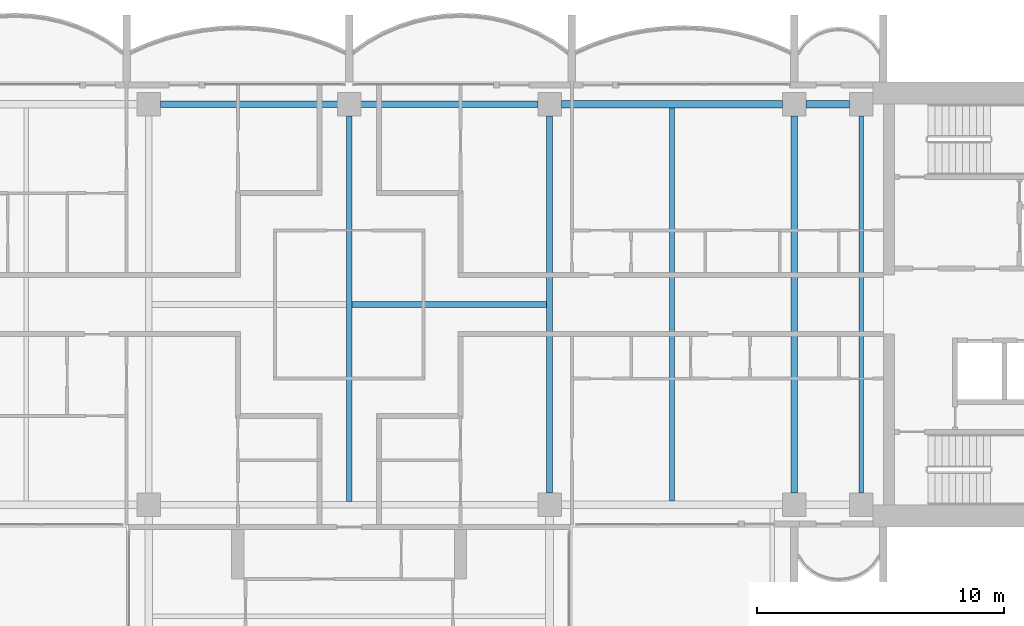
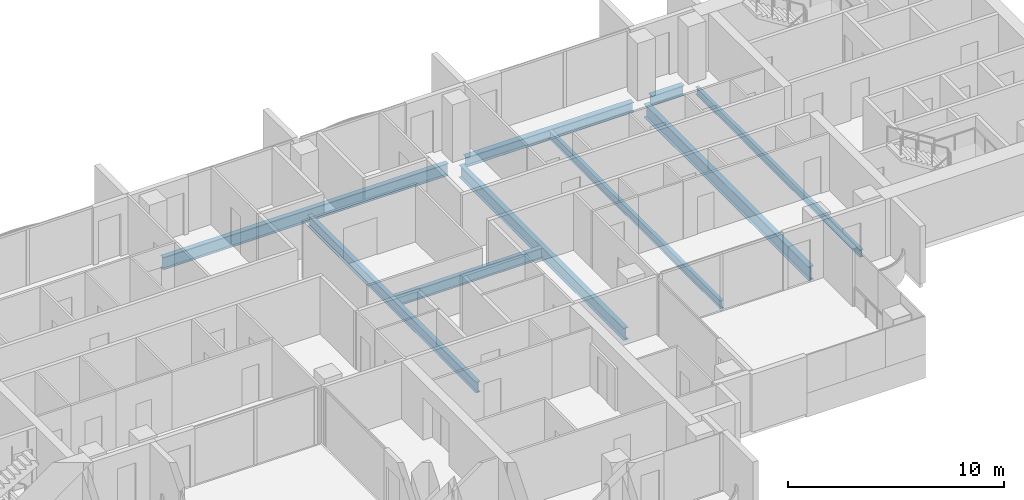
# One storey, part 4 of 17: 9 beams.
"""IFC4 building model written with IfcOpenShell, lengths in metres."""

from ifc_helpers import new_model, si_unit, direction, frame, origin, origin_2d, place, context, subcontext, project, spatial, i_section, extrude, material, material_profile, profile_set, type_object, element, save


model = new_model("IFC4")

# Units and contexts
model_context = context("Model", 3, precision=1e-05, world=origin(), true_north=direction((0.0, 1.0)))
body_context = subcontext(model_context, "Body", "Model", "MODEL_VIEW")
ifc_project = project(units=[si_unit("LENGTHUNIT", "METRE"), si_unit("AREAUNIT", "SQUARE_METRE"), si_unit("VOLUMEUNIT", "CUBIC_METRE"), si_unit("PLANEANGLEUNIT", "RADIAN"), si_unit("MASSUNIT", "GRAM", prefix="KILO")], contexts=[model_context])

# Site, building, storey
site_placement = place(None, origin())
site = spatial("IfcSite", under=ifc_project, at=site_placement, CompositionType="ELEMENT")
building_placement = place(site_placement, origin())
building = spatial("IfcBuilding", under=site, at=building_placement, Name="Perihelion Cross Residences", CompositionType="ELEMENT")
storey_placement = place(building_placement, frame((0.0, 0.0, 191.10009765625)))
storey = spatial("IfcBuildingStorey", under=building, at=storey_placement, Name="L47", CompositionType="ELEMENT", Elevation=191.10009765625)

# Beams
ifc_material_1 = material(Name="Steel S355", Category="steel")
ifc_material_profile_1 = material_profile(ifc_material_1, i_section(OverallWidth=0.180908203125, OverallDepth=0.4169921875, WebThickness=0.010986328125, FlangeThickness=0.018310546875, at=origin_2d()), Name="W410x85")
ifc_profile_set_1 = profile_set([ifc_material_profile_1], Name="Steel S355")
beam_type_1 = type_object("IfcBeamType", Name="Core edge beam W410x85", PredefinedType="BEAM", material=ifc_profile_set_1)
beam_1_placement = place(storey_placement, frame((20.699951171875, -7.625, -0.45849609375), z_axis=(0.0, 1.0, 0.0), x_axis=(-1.0, 0.0, 0.0)))
element("IfcBeam", 1, at=beam_1_placement, inside=storey, type_object=beam_type_1, Name="Core edge beam TB6 L47 no. 2", PredefinedType="BEAM", context=body_context, shape_type="SweptSolid", body=[
    extrude(i_section(OverallWidth=0.180908203125, OverallDepth=0.4169921875, WebThickness=0.010986328125, FlangeThickness=0.018310546875, at=origin_2d()), origin(), (0.0, 0.0, 1.0), 15.25),
])
ifc_material_2 = material(Name="Steel S355", Category="steel")
ifc_material_profile_2 = material_profile(ifc_material_2, i_section(OverallWidth=0.31201171875, OverallDepth=0.5439453125, WebThickness=0.0126953125, FlangeThickness=0.020263671875, at=origin_2d()), Name="W530x150")
ifc_profile_set_2 = profile_set([ifc_material_profile_2], Name="Steel S355")
beam_type_2 = type_object("IfcBeamType", Name="Edge beam W530x150", PredefinedType="SPANDREL", material=ifc_profile_set_2)
beam_2_placement = place(storey_placement, frame((20.22509765625, 8.10009765625, -0.522216796875), z_axis=(-1.0, 0.0, 0.0), x_axis=(0.0, -1.0, 0.0)))
element("IfcBeam", 2, at=beam_2_placement, inside=storey, type_object=beam_type_2, Name="Edge beam SB4 L47 no. 10", PredefinedType="SPANDREL", context=body_context, shape_type="SweptSolid", body=[
    extrude(i_section(OverallWidth=0.31201171875, OverallDepth=0.5439453125, WebThickness=0.0126953125, FlangeThickness=0.020263671875, at=origin_2d()), origin(), (0.0, 0.0, 1.0), 1.75),
])
beam_3_placement = place(storey_placement, frame((17.52490234375, 8.10009765625, -0.522216796875), z_axis=(-1.0, 0.0, 0.0), x_axis=(0.0, -1.0, 0.0)))
element("IfcBeam", 3, at=beam_3_placement, inside=storey, type_object=beam_type_2, Name="Edge beam SB4 L47 no. 9", PredefinedType="SPANDREL", context=body_context, shape_type="SweptSolid", body=[
    extrude(i_section(OverallWidth=0.31201171875, OverallDepth=0.5439453125, WebThickness=0.0126953125, FlangeThickness=0.020263671875, at=origin_2d()), origin(), (0.0, 0.0, 1.0), 8.949951171875),
])
ifc_material_3 = material(Name="Steel S355", Category="steel")
ifc_material_profile_3 = material_profile(ifc_material_3, i_section(OverallWidth=0.26708984375, OverallDepth=0.77001953125, WebThickness=0.015625, FlangeThickness=0.025390625, at=origin_2d()), Name="W760x196")
ifc_profile_set_3 = profile_set([ifc_material_profile_3], Name="Steel S355")
beam_type_3 = type_object("IfcBeamType", Name="Floor girder W760x196", PredefinedType="BEAM", material=ifc_profile_set_3)
beam_4_placement = place(storey_placement, frame((18.0, -7.625, -0.635009765625), z_axis=(0.0, 1.0, 0.0), x_axis=(-1.0, 0.0, 0.0)))
element("IfcBeam", 4, at=beam_4_placement, inside=storey, type_object=beam_type_3, Name="Girder G4 L47 no. 2", PredefinedType="BEAM", context=body_context, shape_type="SweptSolid", body=[
    extrude(i_section(OverallWidth=0.26708984375, OverallDepth=0.77001953125, WebThickness=0.015625, FlangeThickness=0.025390625, at=origin_2d()), origin(), (0.0, 0.0, 1.0), 15.25),
])
ifc_material_4 = material(Name="Steel S355", Category="steel")
ifc_material_profile_4 = material_profile(ifc_material_4, i_section(OverallWidth=0.19091796875, OverallDepth=0.45703125, WebThickness=0.009033203125, FlangeThickness=0.014404296875, at=origin_2d()), Name="W460x74")
ifc_profile_set_4 = profile_set([ifc_material_profile_4], Name="Steel S355")
beam_type_4 = type_object("IfcBeamType", Name="Floor joist W460x74", PredefinedType="JOIST", material=ifc_profile_set_4)
beam_5_placement = place(storey_placement, frame((13.050048828125, -7.944091796875, -0.478515625), z_axis=(0.0, 1.0, 0.0), x_axis=(-1.0, 0.0, 0.0)))
element("IfcBeam", 5, at=beam_5_placement, inside=storey, type_object=beam_type_4, Name="Joist J5 L47 no. 2", PredefinedType="JOIST", context=body_context, shape_type="SweptSolid", body=[
    extrude(i_section(OverallWidth=0.19091796875, OverallDepth=0.45703125, WebThickness=0.009033203125, FlangeThickness=0.014404296875, at=origin_2d()), origin(), (0.0, 0.0, 1.0), 15.88818359375),
])
ifc_material_5 = material(Name="Steel S355", Category="steel")
ifc_material_profile_5 = material_profile(ifc_material_5, i_section(OverallWidth=0.22900390625, OverallDepth=0.612060546875, WebThickness=0.011962890625, FlangeThickness=0.01953125, at=origin_2d()), Name="W610x125")
ifc_profile_set_5 = profile_set([ifc_material_profile_5], Name="Steel S355")
beam_type_5 = type_object("IfcBeamType", Name="Hub cross beam W610x125", PredefinedType="BEAM", material=ifc_profile_set_5)
beam_6_placement = place(storey_placement, frame((0.0, -7.971435546875, -0.55615234375), z_axis=(0.0, 1.0, 0.0), x_axis=(-1.0, 0.0, 0.0)))
element("IfcBeam", 6, at=beam_6_placement, inside=storey, type_object=beam_type_5, Name="Hub cross beam XB4 L47 no. 1", PredefinedType="BEAM", context=body_context, shape_type="SweptSolid", body=[
    extrude(i_section(OverallWidth=0.22900390625, OverallDepth=0.612060546875, WebThickness=0.011962890625, FlangeThickness=0.01953125, at=origin_2d()), origin(), (0.0, 0.0, 1.0), 15.596435546875),
])
beam_7_placement = place(storey_placement, frame((0.114501953125, 0.0, -0.55615234375), z_axis=(1.0, 0.0, 0.0), x_axis=(0.0, 1.0, 0.0)))
element("IfcBeam", 7, at=beam_7_placement, inside=storey, type_object=beam_type_5, Name="Hub cross beam XB4 L47 2 no. 1", PredefinedType="BEAM", context=body_context, shape_type="SweptSolid", body=[
    extrude(i_section(OverallWidth=0.22900390625, OverallDepth=0.612060546875, WebThickness=0.011962890625, FlangeThickness=0.01953125, at=origin_2d()), origin(), (0.0, 0.0, 1.0), 7.85693359375),
])
ifc_material_6 = material(Name="Steel S355", Category="steel")
ifc_material_profile_6 = material_profile(ifc_material_6, i_section(OverallWidth=0.257080078125, OverallDepth=0.693115234375, WebThickness=0.014404296875, FlangeThickness=0.023681640625, at=origin_2d()), Name="W690x170")
ifc_profile_set_6 = profile_set([ifc_material_profile_6], Name="Steel S355")
beam_type_6 = type_object("IfcBeamType", Name="Hub ring girder W690x170", PredefinedType="BEAM", material=ifc_profile_set_6)
for number, where, z_axis, x_axis, name in (
    (8, (8.10009765625, -7.625, -0.5966796875), (0.0, 1.0, 0.0), (-1.0, 0.0, 0.0), "Hub ring girder RG4 L47 no. 3"),
    (9, (7.625, 8.10009765625, -0.5966796875), (-1.0, 0.0, 0.0), (0.0, -1.0, 0.0), "Hub ring girder RG4 L47 no. 4"),
):
    element("IfcBeam", number, at=place(storey_placement, frame(where, z_axis=z_axis, x_axis=x_axis)), inside=storey, type_object=beam_type_6, Name=name, PredefinedType="BEAM", context=body_context, shape_type="SweptSolid", body=[
        extrude(i_section(OverallWidth=0.257080078125, OverallDepth=0.693115234375, WebThickness=0.014404296875, FlangeThickness=0.023681640625, at=origin_2d()), origin(), (0.0, 0.0, 1.0), 15.25),
    ])

save(model, "model.ifc")
